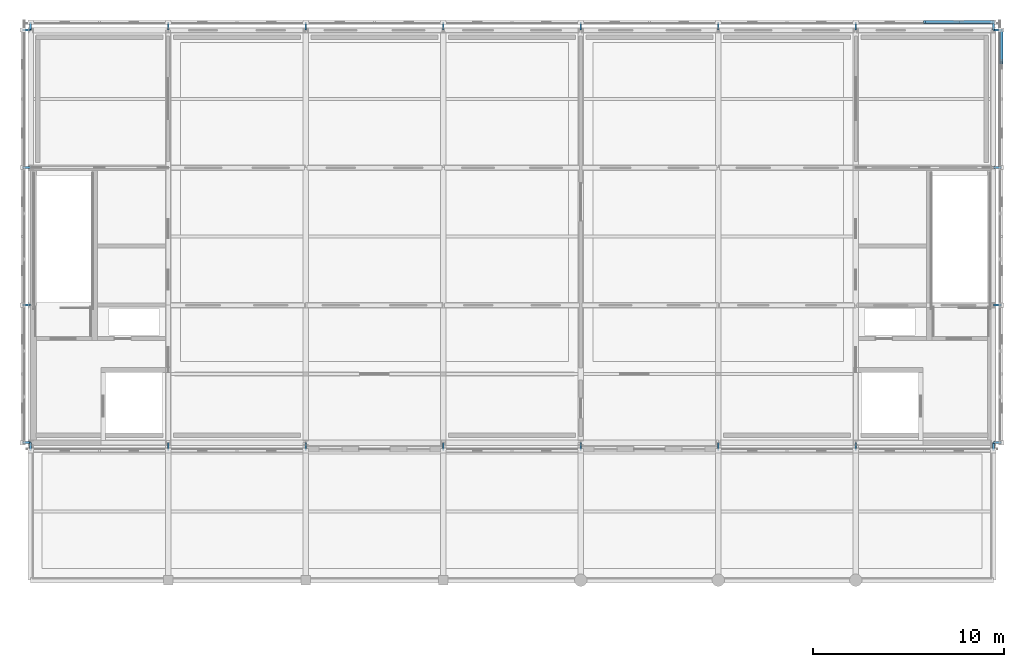
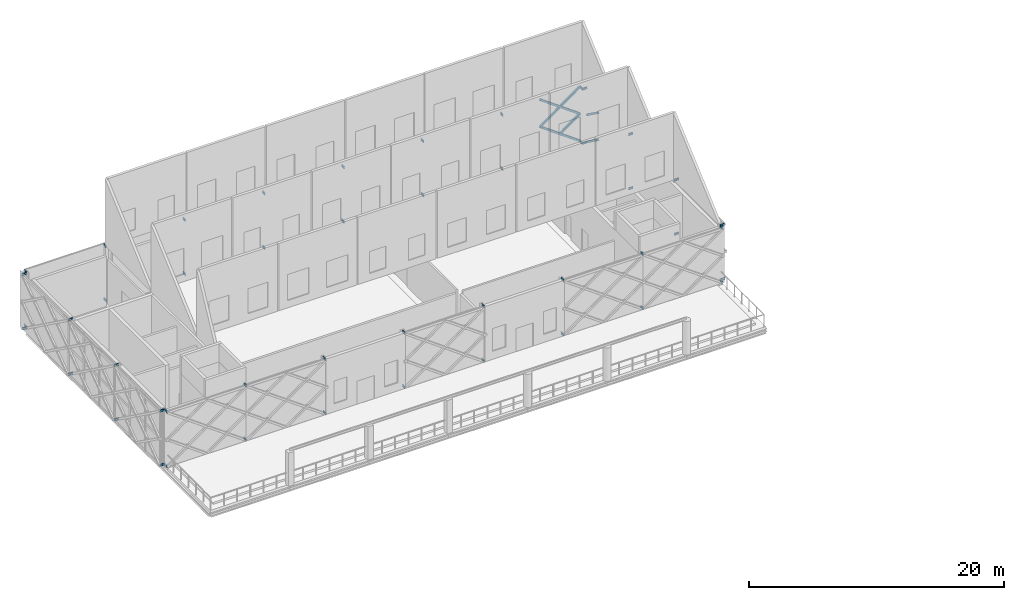
# One storey, part 18 of 31: 48 beams, 7 members.
"""IFC4 building model written with IfcOpenShell, lengths in metres."""

from ifc_helpers import new_model, si_unit, direction, frame, origin, origin_2d, place, context, subcontext, project, spatial, hollow_rectangle, i_section, extrude, material, material_profile, profile_set, type_object, element, save


model = new_model("IFC4")

# Units and contexts
model_context = context("Model", 3, precision=1e-05, world=origin(), true_north=direction((0.0, 1.0)))
body_context = subcontext(model_context, "Body", "Model", "MODEL_VIEW")
ifc_project = project(units=[si_unit("LENGTHUNIT", "METRE"), si_unit("AREAUNIT", "SQUARE_METRE"), si_unit("VOLUMEUNIT", "CUBIC_METRE"), si_unit("PLANEANGLEUNIT", "RADIAN"), si_unit("MASSUNIT", "GRAM", prefix="KILO")], contexts=[model_context])

# Site, building, storey
site_placement = place(None, origin())
site = spatial("IfcSite", under=ifc_project, at=site_placement, CompositionType="ELEMENT")
building_placement = place(site_placement, origin())
building = spatial("IfcBuilding", under=site, at=building_placement, Name="Zlatovets Crest Museum", CompositionType="ELEMENT")
storey_placement = place(building_placement, frame((0.0, 0.0, 25.199951171875)))
storey = spatial("IfcBuildingStorey", under=building, at=storey_placement, Name="L05", CompositionType="ELEMENT", Elevation=25.199951171875)

# Beams
ifc_material_1 = material(Name="Structural steel S355J2", Category="steel")
ifc_material_profile_1 = material_profile(ifc_material_1, i_section(OverallWidth=0.10009765625, OverallDepth=0.199951171875, WebThickness=0.005615234375, FlangeThickness=0.008544921875, FilletRadius=0.011962890625, at=origin_2d()), Name="IPE 200")
ifc_profile_set_1 = profile_set([ifc_material_profile_1], Name="Structural steel S355J2")
beam_type = type_object("IfcBeamType", Name="Beam_PR-02", PredefinedType="LINTEL", material=ifc_profile_set_1)
for number, where, z_axis, x_axis, name in (
    (1, (57.60009765625, 93.60009765625, 0.10009765625), (0.0, -1.0, 0.0), (1.0, 0.0, 0.0), "Lattice Structural Outrigger Tie"),
    (2, (57.60009765625, 93.60009765625, 5.300048828125), (0.0, -1.0, 0.0), (1.0, 0.0, 0.0), "Lattice Structural Outrigger Tie"),
    (3, (64.800048828125, 93.60009765625, 0.10009765625), (0.0, -1.0, 0.0), (1.0, 0.0, 0.0), "Lattice Structural Outrigger Tie"),
    (4, (64.800048828125, 93.60009765625, 5.300048828125), (0.0, -1.0, 0.0), (1.0, 0.0, 0.0), "Lattice Structural Outrigger Tie"),
    (5, (72.0, 93.60009765625, 0.10009765625), (0.0, -1.0, 0.0), (1.0, 0.0, 0.0), "Lattice Structural Outrigger Tie"),
    (6, (72.0, 93.60009765625, 5.300048828125), (0.0, -1.0, 0.0), (1.0, 0.0, 0.0), "Lattice Structural Outrigger Tie"),
    (7, (79.199951171875, 93.60009765625, 0.10009765625), (0.0, -1.0, 0.0), (1.0, 0.0, 0.0), "Lattice Structural Outrigger Tie"),
    (8, (79.199951171875, 93.60009765625, 5.300048828125), (0.0, -1.0, 0.0), (1.0, 0.0, 0.0), "Lattice Structural Outrigger Tie"),
    (9, (86.39990234375, 93.60009765625, 0.10009765625), (0.0, -1.0, 0.0), (1.0, 0.0, 0.0), "Lattice Structural Outrigger Tie"),
    (10, (86.39990234375, 93.60009765625, 5.300048828125), (0.0, -1.0, 0.0), (1.0, 0.0, 0.0), "Lattice Structural Outrigger Tie"),
    (11, (93.60009765625, 93.60009765625, 0.10009765625), (0.0, -1.0, 0.0), (1.0, 0.0, 0.0), "Lattice Structural Outrigger Tie"),
    (12, (93.60009765625, 93.60009765625, 5.300048828125), (0.0, -1.0, 0.0), (1.0, 0.0, 0.0), "Lattice Structural Outrigger Tie"),
    (13, (100.800048828125, 93.60009765625, 0.10009765625), (0.0, -1.0, 0.0), (1.0, 0.0, 0.0), "Lattice Structural Outrigger Tie"),
    (14, (100.800048828125, 93.60009765625, 5.300048828125), (0.0, -1.0, 0.0), (1.0, 0.0, 0.0), "Lattice Structural Outrigger Tie"),
    (15, (108.0, 93.60009765625, 0.10009765625), (0.0, -1.0, 0.0), (1.0, 0.0, 0.0), "Lattice Structural Outrigger Tie"),
    (16, (108.0, 93.60009765625, 5.300048828125), (0.0, -1.0, 0.0), (1.0, 0.0, 0.0), "Lattice Structural Outrigger Tie"),
):
    element("IfcBeam", number, at=place(storey_placement, frame(where, z_axis=z_axis, x_axis=x_axis)), inside=storey, type_object=beam_type, Name=name, PredefinedType="LINTEL", context=body_context, shape_type="SweptSolid", body=[
        extrude(i_section(OverallWidth=0.10009765625, OverallDepth=0.199951171875, WebThickness=0.005615234375, FlangeThickness=0.008544921875, FilletRadius=0.011962890625, at=origin_2d()), origin(), (0.0, 0.0, 1.0), 0.420166015625),
    ])
for number, where, z_axis, x_axis, name in (
    (17, (108.0, 93.60009765625, 0.10009765625), (1.0, 0.0, 0.0), (0.0, 1.0, 0.0), "Lattice Structural Outrigger Tie"),
    (18, (108.0, 93.60009765625, 5.300048828125), (1.0, 0.0, 0.0), (0.0, 1.0, 0.0), "Lattice Structural Outrigger Tie"),
    (19, (108.0, 100.800048828125, 0.10009765625), (1.0, 0.0, 0.0), (0.0, 1.0, 0.0), "Lattice Structural Outrigger Tie"),
    (20, (108.0, 100.800048828125, 5.300048828125), (1.0, 0.0, 0.0), (0.0, 1.0, 0.0), "Lattice Structural Outrigger Tie"),
    (21, (108.0, 108.0, 0.10009765625), (1.0, 0.0, 0.0), (0.0, 1.0, 0.0), "Lattice Structural Outrigger Tie"),
    (22, (108.0, 108.0, 5.300048828125), (1.0, 0.0, 0.0), (0.0, 1.0, 0.0), "Lattice Structural Outrigger Tie"),
    (23, (108.0, 115.199951171875, 0.10009765625), (1.0, 0.0, 0.0), (0.0, 1.0, 0.0), "Lattice Structural Outrigger Tie"),
    (24, (108.0, 115.199951171875, 5.300048828125), (1.0, 0.0, 0.0), (0.0, 1.0, 0.0), "Lattice Structural Outrigger Tie"),
):
    element("IfcBeam", number, at=place(storey_placement, frame(where, z_axis=z_axis, x_axis=x_axis)), inside=storey, type_object=beam_type, Name=name, PredefinedType="LINTEL", context=body_context, shape_type="SweptSolid", body=[
        extrude(i_section(OverallWidth=0.10009765625, OverallDepth=0.199951171875, WebThickness=0.005615234375, FlangeThickness=0.008544921875, FilletRadius=0.011962890625, at=origin_2d()), origin(), (0.0, 0.0, 1.0), 0.419921875),
    ])
for number, where, z_axis, x_axis, name in (
    (25, (108.0, 115.199951171875, 0.10009765625), (0.0, 1.0, 0.0), (-1.0, 0.0, 0.0), "Lattice Structural Outrigger Tie"),
    (26, (108.0, 115.199951171875, 5.300048828125), (0.0, 1.0, 0.0), (-1.0, 0.0, 0.0), "Lattice Structural Outrigger Tie"),
    (27, (100.800048828125, 115.199951171875, 0.10009765625), (0.0, 1.0, 0.0), (-1.0, 0.0, 0.0), "Lattice Structural Outrigger Tie"),
    (28, (100.800048828125, 115.199951171875, 5.300048828125), (0.0, 1.0, 0.0), (-1.0, 0.0, 0.0), "Lattice Structural Outrigger Tie"),
    (29, (93.60009765625, 115.199951171875, 0.10009765625), (0.0, 1.0, 0.0), (-1.0, 0.0, 0.0), "Lattice Structural Outrigger Tie"),
    (30, (93.60009765625, 115.199951171875, 5.300048828125), (0.0, 1.0, 0.0), (-1.0, 0.0, 0.0), "Lattice Structural Outrigger Tie"),
    (31, (86.39990234375, 115.199951171875, 0.10009765625), (0.0, 1.0, 0.0), (-1.0, 0.0, 0.0), "Lattice Structural Outrigger Tie"),
    (32, (86.39990234375, 115.199951171875, 5.300048828125), (0.0, 1.0, 0.0), (-1.0, 0.0, 0.0), "Lattice Structural Outrigger Tie"),
    (33, (79.199951171875, 115.199951171875, 0.10009765625), (0.0, 1.0, 0.0), (-1.0, 0.0, 0.0), "Lattice Structural Outrigger Tie"),
    (34, (79.199951171875, 115.199951171875, 5.300048828125), (0.0, 1.0, 0.0), (-1.0, 0.0, 0.0), "Lattice Structural Outrigger Tie"),
    (35, (72.0, 115.199951171875, 0.10009765625), (0.0, 1.0, 0.0), (-1.0, 0.0, 0.0), "Lattice Structural Outrigger Tie"),
    (36, (72.0, 115.199951171875, 5.300048828125), (0.0, 1.0, 0.0), (-1.0, 0.0, 0.0), "Lattice Structural Outrigger Tie"),
    (37, (64.800048828125, 115.199951171875, 0.10009765625), (0.0, 1.0, 0.0), (-1.0, 0.0, 0.0), "Lattice Structural Outrigger Tie"),
    (38, (64.800048828125, 115.199951171875, 5.300048828125), (0.0, 1.0, 0.0), (-1.0, 0.0, 0.0), "Lattice Structural Outrigger Tie"),
    (39, (57.60009765625, 115.199951171875, 0.10009765625), (0.0, 1.0, 0.0), (-1.0, 0.0, 0.0), "Lattice Structural Outrigger Tie"),
    (40, (57.60009765625, 115.199951171875, 5.300048828125), (0.0, 1.0, 0.0), (-1.0, 0.0, 0.0), "Lattice Structural Outrigger Tie"),
    (41, (57.60009765625, 115.199951171875, 0.10009765625), (-1.0, 0.0, 0.0), (0.0, -1.0, 0.0), "Lattice Structural Outrigger Tie"),
    (42, (57.60009765625, 115.199951171875, 5.300048828125), (-1.0, 0.0, 0.0), (0.0, -1.0, 0.0), "Lattice Structural Outrigger Tie"),
    (43, (57.60009765625, 108.0, 0.10009765625), (-1.0, 0.0, 0.0), (0.0, -1.0, 0.0), "Lattice Structural Outrigger Tie"),
    (44, (57.60009765625, 108.0, 5.300048828125), (-1.0, 0.0, 0.0), (0.0, -1.0, 0.0), "Lattice Structural Outrigger Tie"),
    (45, (57.60009765625, 100.800048828125, 0.10009765625), (-1.0, 0.0, 0.0), (0.0, -1.0, 0.0), "Lattice Structural Outrigger Tie"),
    (46, (57.60009765625, 100.800048828125, 5.300048828125), (-1.0, 0.0, 0.0), (0.0, -1.0, 0.0), "Lattice Structural Outrigger Tie"),
    (47, (57.60009765625, 93.60009765625, 0.10009765625), (-1.0, 0.0, 0.0), (0.0, -1.0, 0.0), "Lattice Structural Outrigger Tie"),
    (48, (57.60009765625, 93.60009765625, 5.300048828125), (-1.0, 0.0, 0.0), (0.0, -1.0, 0.0), "Lattice Structural Outrigger Tie"),
):
    element("IfcBeam", number, at=place(storey_placement, frame(where, z_axis=z_axis, x_axis=x_axis)), inside=storey, type_object=beam_type, Name=name, PredefinedType="LINTEL", context=body_context, shape_type="SweptSolid", body=[
        extrude(i_section(OverallWidth=0.10009765625, OverallDepth=0.199951171875, WebThickness=0.005615234375, FlangeThickness=0.008544921875, FilletRadius=0.011962890625, at=origin_2d()), origin(), (0.0, 0.0, 1.0), 0.420166015625),
    ])

# Members
ifc_material_2 = material(Name="Weathering bronze-steel S355J2W", Category="steel")
ifc_material_profile_2 = material_profile(ifc_material_2, hollow_rectangle(XDim=0.179931640625, YDim=0.179931640625, WallThickness=0.010009765625, InnerFilletRadius=0.010009765625, OuterFilletRadius=0.02001953125, at=origin_2d()), Name="SHS 180x180x10.0")
ifc_profile_set_2 = profile_set([ifc_material_profile_2], Name="Weathering bronze-steel S355J2W")
member_type = type_object("IfcMemberType", Name="Lattice_XL-01", PredefinedType="BRACE", material=ifc_profile_set_2)
for number, where, z_axis, x_axis, name in (
    (49, (108.419921875, 113.47705078125, 1.344482421875), (0.0, 0.810664082502, -0.585511524516), (-1.0, 0.0, 0.0), "Split Crossing Bronze Lattice Diagonal Lower"),
    (50, (108.419921875, 113.47705078125, 3.9443359375), (0.0, 0.810664082502, -0.585511524516), (-1.0, 0.0, 0.0), "Split Crossing Bronze Lattice Diagonal Lower"),
):
    element("IfcMember", number, at=place(storey_placement, frame(where, z_axis=z_axis, x_axis=x_axis)), inside=storey, type_object=member_type, Name=name, PredefinedType="BRACE", context=body_context, shape_type="SweptSolid", body=[
        extrude(hollow_rectangle(XDim=0.179931640625, YDim=0.179931640625, WallThickness=0.010009765625, InnerFilletRadius=0.010009765625, OuterFilletRadius=0.02001953125, at=origin_2d()), origin(), (0.0, 0.0, 1.0), 2.125244140625),
    ])
member_1_placement = place(storey_placement, frame((108.0, 115.6201171875, 0.10009765625), z_axis=(-0.810702423259, 0.0, 0.585458436545), x_axis=(0.0, -1.0, 0.0)))
element("IfcMember", 51, at=member_1_placement, inside=storey, type_object=member_type, Name="Continuous Bronze Lattice Diagonal", PredefinedType="BRACE", context=body_context, shape_type="SweptSolid", body=[
    extrude(hollow_rectangle(XDim=0.179931640625, YDim=0.179931640625, WallThickness=0.010009765625, InnerFilletRadius=0.010009765625, OuterFilletRadius=0.02001953125, at=origin_2d()), origin(), (0.0, 0.0, 1.0), 4.440673828125),
])
member_2_placement = place(storey_placement, frame((108.0, 115.6201171875, 2.699951171875), z_axis=(-0.810664082502, 0.0, -0.585511524516), x_axis=(0.0, -1.0, 0.0)))
element("IfcMember", 52, at=member_2_placement, inside=storey, type_object=member_type, Name="Split Crossing Bronze Lattice Diagonal Upper", PredefinedType="BRACE", context=body_context, shape_type="SweptSolid", body=[
    extrude(hollow_rectangle(XDim=0.179931640625, YDim=0.179931640625, WallThickness=0.010009765625, InnerFilletRadius=0.010009765625, OuterFilletRadius=0.02001953125, at=origin_2d()), origin(), (0.0, 0.0, 1.0), 2.125244140625),
])
member_3_placement = place(storey_placement, frame((108.0, 115.6201171875, 2.699951171875), z_axis=(-0.810676329046, 0.0, 0.585494568313), x_axis=(0.0, -1.0, 0.0)))
element("IfcMember", 53, at=member_3_placement, inside=storey, type_object=member_type, Name="Continuous Bronze Lattice Diagonal", PredefinedType="BRACE", context=body_context, shape_type="SweptSolid", body=[
    extrude(hollow_rectangle(XDim=0.179931640625, YDim=0.179931640625, WallThickness=0.010009765625, InnerFilletRadius=0.010009765625, OuterFilletRadius=0.02001953125, at=origin_2d()), origin(), (0.0, 0.0, 1.0), 4.44091796875),
])
member_4_placement = place(storey_placement, frame((108.0, 115.6201171875, 5.300048828125), z_axis=(-0.810664082502, 0.0, -0.585511524516), x_axis=(0.0, -1.0, 0.0)))
element("IfcMember", 54, at=member_4_placement, inside=storey, type_object=member_type, Name="Split Crossing Bronze Lattice Diagonal Upper", PredefinedType="BRACE", context=body_context, shape_type="SweptSolid", body=[
    extrude(hollow_rectangle(XDim=0.179931640625, YDim=0.179931640625, WallThickness=0.010009765625, InnerFilletRadius=0.010009765625, OuterFilletRadius=0.02001953125, at=origin_2d()), origin(), (0.0, 0.0, 1.0), 2.125244140625),
])
member_5_placement = place(storey_placement, frame((106.123046875, 115.6201171875, 3.9443359375), z_axis=(-0.810703458452, 0.0, -0.585457003079), x_axis=(0.0, -1.0, 0.0)))
element("IfcMember", 55, at=member_5_placement, inside=storey, type_object=member_type, Name="Split Crossing Bronze Lattice Diagonal Lower", PredefinedType="BRACE", context=body_context, shape_type="SweptSolid", body=[
    extrude(hollow_rectangle(XDim=0.179931640625, YDim=0.179931640625, WallThickness=0.010009765625, InnerFilletRadius=0.010009765625, OuterFilletRadius=0.02001953125, at=origin_2d()), origin(), (0.0, 0.0, 1.0), 2.12548828125),
])

save(model, "model.ifc")
